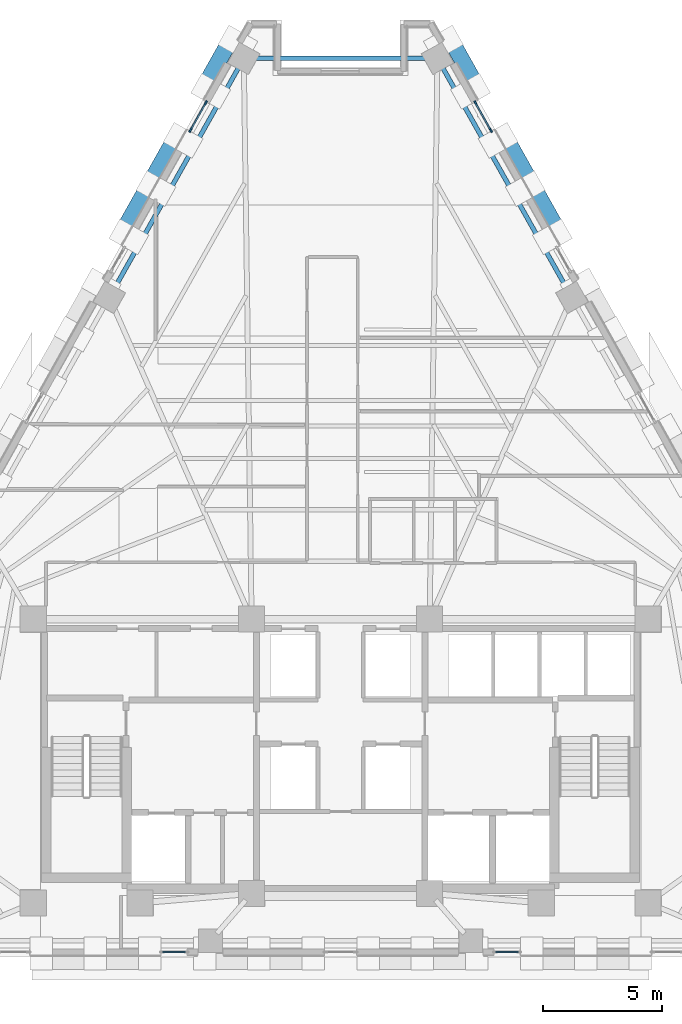
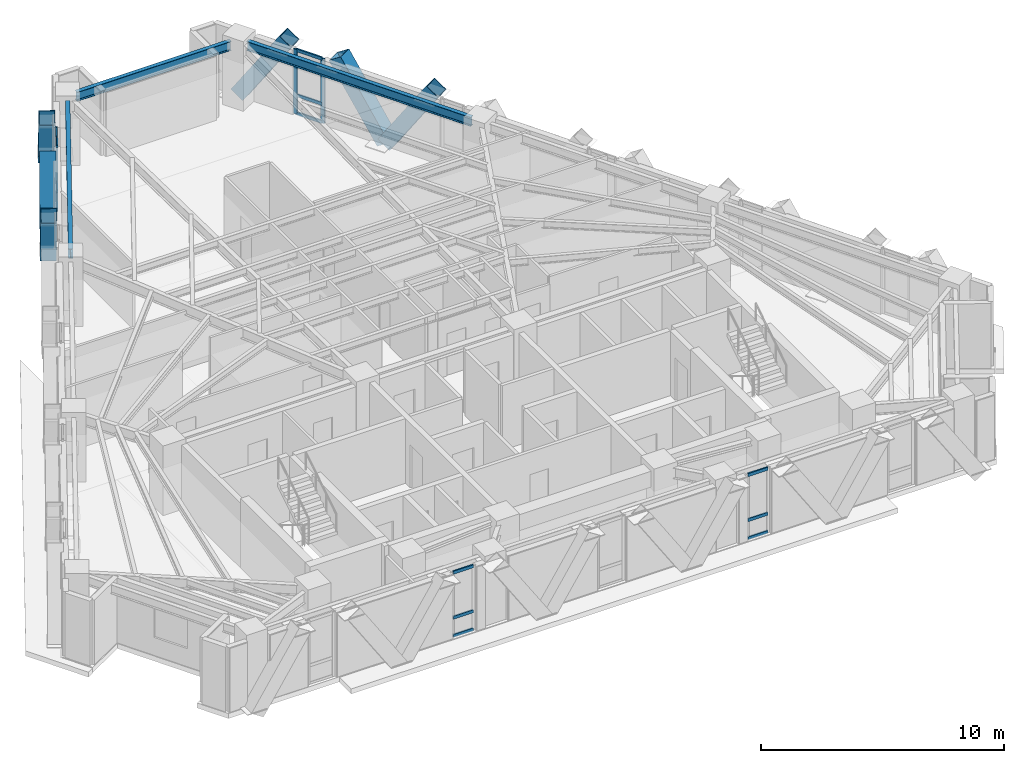
# One storey, part 5 of 13: 22 members, 3 beams, 4 elements without a shape of their own.
"""IFC4 building model written with IfcOpenShell, lengths in metres."""

import ifcopenshell
import ifcopenshell.guid

model = None  # the IFC model being written
_history = None  # IfcOwnerHistory: only IFC2X3 demands one
_inside = {}  # id of a spatial element -> (the spatial element, [elements in it])
_under = {}  # id of a project, library or spatial element -> (it, [spatial elements below it])
_declared = {}  # id of a project -> (the project, [libraries it declares])
_typed = {}  # id of a type object -> (the type object, [elements of that type])
_made_of = {}  # id of a material, layer set ... -> (it, [elements and type objects made of it])


def new_model(schema):
    """Start an empty IFC model of exactly this schema.

    Asked for "IFC4X3", IfcOpenShell would pick the latest addendum, in which some entities
    have other attributes; the version numbers below select the first issue.
    IFC2X3 requires an IfcOwnerHistory on every rooted entity: one is made here for all.
    """
    global model, _history
    if schema == "IFC4X3":
        model = ifcopenshell.file(schema_version=(4, 3, 0, 0))
    else:
        model = ifcopenshell.file(schema=schema)
    _inside.clear()
    _under.clear()
    _declared.clear()
    _typed.clear()
    _made_of.clear()
    _history = None
    if model.schema == "IFC2X3":
        org = make("IfcOrganization", Name="unknown")
        user = make(
            "IfcPersonAndOrganization",
            ThePerson=make("IfcPerson", FamilyName="unknown"),
            TheOrganization=org,
        )
        app = make(
            "IfcApplication",
            ApplicationDeveloper=org,
            Version="unknown",
            ApplicationFullName="unknown",
            ApplicationIdentifier="unknown",
        )
        _history = make(
            "IfcOwnerHistory",
            OwningUser=user,
            OwningApplication=app,
            ChangeAction="ADDED",
            CreationDate=0,
        )
    return model


def make(cls, **values):
    """One entity of the class cls with the attributes given. An attribute that is None is left unset."""
    return model.create_entity(
        cls, **{name: value for name, value in values.items() if value is not None}
    )


def rooted(cls, **values):
    """An entity with a GlobalId (a new one), such as an element, a storey or a relation."""
    return make(cls, GlobalId=ifcopenshell.guid.new(), OwnerHistory=_history, **values)


def si_unit(unit_type, name, prefix=None):
    """IfcSIUnit, for example si_unit("LENGTHUNIT", "METRE", prefix="MILLI")."""
    return make("IfcSIUnit", UnitType=unit_type, Prefix=prefix, Name=name)


def assignment(units):
    """IfcUnitAssignment: the units of a project."""
    return None if units is None else make("IfcUnitAssignment", Units=units)


def point(xyz):
    """IfcCartesianPoint."""
    return None if xyz is None else make("IfcCartesianPoint", Coordinates=xyz)


def direction(xyz):
    """IfcDirection."""
    return None if xyz is None else make("IfcDirection", DirectionRatios=xyz)


def frame(location, z_axis=None, x_axis=None):
    """IfcAxis2Placement3D, a coordinate frame: its origin and axes. An axis left out is left unset."""
    return make(
        "IfcAxis2Placement3D",
        Location=point(location),
        Axis=direction(z_axis),
        RefDirection=direction(x_axis),
    )


def frame_2d(location, x_axis=None):
    """IfcAxis2Placement2D, a coordinate frame in the plane: its origin and x axis."""
    return make(
        "IfcAxis2Placement2D", Location=point(location), RefDirection=direction(x_axis)
    )


def origin():
    """The frame at (0, 0, 0) with its axes left unset."""
    return frame((0.0, 0.0, 0.0))


def origin_2d():
    """The frame at (0, 0) in the plane with its x axis left unset."""
    return frame_2d((0.0, 0.0))


def place(relative_to, where):
    """IfcLocalPlacement: puts the frame where relative to a parent placement (None: the world)."""
    return make(
        "IfcLocalPlacement", PlacementRelTo=relative_to, RelativePlacement=where
    )


def context(
    kind, dimensions, precision=None, world=None, true_north=None, identifier=None
):
    """IfcGeometricRepresentationContext, for example the 3D "Model" context."""
    return make(
        "IfcGeometricRepresentationContext",
        ContextIdentifier=identifier,
        ContextType=kind,
        CoordinateSpaceDimension=dimensions,
        Precision=precision,
        WorldCoordinateSystem=world,
        TrueNorth=true_north,
    )


def subcontext(parent, identifier, kind, view, scale=None):
    """IfcGeometricRepresentationSubContext, for example "Body" below "Model"."""
    return make(
        "IfcGeometricRepresentationSubContext",
        ContextIdentifier=identifier,
        ContextType=kind,
        ParentContext=parent,
        TargetScale=scale,
        TargetView=view,
    )


def project(units=None, contexts=None):
    """IfcProject with its units and contexts."""
    return rooted(
        "IfcProject",
        Name="project",
        RepresentationContexts=contexts,
        UnitsInContext=assignment(units),
    )


def spatial(cls, under=None, at=None, **own):
    """A site, building, storey or space (cls), placed at a placement, below another one or the project."""
    s = rooted(cls, ObjectPlacement=at, **own)
    if under is not None:
        _under.setdefault(under.id(), (under, []))[1].append(s)
    return s


def profile(cls, at=None, kind="AREA", **sizes):
    """A parametric profile (cls). Its sizes go by their IFC names, for example OverallWidth=200.0."""
    return make(cls, ProfileType=kind, Position=at, **sizes)


def rectangle(**sizes):
    """IfcRectangleProfileDef."""
    return profile("IfcRectangleProfileDef", **sizes)


def hollow_rectangle(**sizes):
    """IfcRectangleHollowProfileDef."""
    return profile("IfcRectangleHollowProfileDef", **sizes)


def i_section(**sizes):
    """IfcIShapeProfileDef."""
    return profile("IfcIShapeProfileDef", **sizes)


def extrude(swept, where, along, depth):
    """IfcExtrudedAreaSolid: the profile swept, set in the frame where, extruded along a direction by depth."""
    return make(
        "IfcExtrudedAreaSolid",
        SweptArea=swept,
        Position=where,
        ExtrudedDirection=direction(along),
        Depth=depth,
    )


def shape(context_of_items, identifier, shape_type, items):
    """IfcShapeRepresentation: the items that make up one representation, for example the "Body"."""
    return make(
        "IfcShapeRepresentation",
        ContextOfItems=context_of_items,
        RepresentationIdentifier=identifier,
        RepresentationType=shape_type,
        Items=items,
    )


def material(Name=None, Category=None):
    """IfcMaterial."""
    return make("IfcMaterial", Name=Name, Category=Category)


def material_profile(
    of_material, cross_section, Name=None, Category=None, Priority=None
):
    """IfcMaterialProfile: a cross section and its material."""
    return make(
        "IfcMaterialProfile",
        Name=Name,
        Material=of_material,
        Profile=cross_section,
        Priority=Priority,
        Category=Category,
    )


def profile_set(profiles, Name=None, composite=None):
    """IfcMaterialProfileSet."""
    return make(
        "IfcMaterialProfileSet",
        Name=Name,
        MaterialProfiles=profiles,
        CompositeProfile=composite,
    )


def made_of(thing, what):
    """Note that an element or type object is made of a material, layer set ...; save() writes the relation."""
    if what is not None:
        _made_of.setdefault(what.id(), (what, []))[1].append(thing)
    return thing


def type_object(cls, material=None, **own):
    """A type object (cls), such as IfcWallType, which elements share."""
    return made_of(rooted(cls, **own), material)


def element(
    cls,
    number,
    at=None,
    inside=None,
    cuts=None,
    type_object=None,
    material=None,
    context=None,
    identifier="Body",
    shape_type=None,
    held_by="IfcProductDefinitionShape",
    body=None,
    shapes=None,
    **own,
):
    """One element of the class cls, such as IfcWall. Its Tag is "e" and its number.

    at: its placement. inside: the storey or other place that contains it. cuts: it is an
    opening in that element (IfcRelVoidsElement). A single representation is given by context,
    identifier, shape_type and body (its items); several are given by shapes. held_by: the class
    of the entity that holds the representations. save() writes the other relations.
    """
    e = rooted(cls, Tag="e%d" % number, ObjectPlacement=at, **own)
    if body is not None:
        shapes = [shape(context, identifier, shape_type, body)]
    if shapes is not None:
        e.Representation = make(held_by, Representations=shapes)
    if inside is not None:
        _inside.setdefault(inside.id(), (inside, []))[1].append(e)
    if cuts is not None:
        rooted(
            "IfcRelVoidsElement", RelatingBuildingElement=cuts, RelatedOpeningElement=e
        )
    if type_object is not None:
        _typed.setdefault(type_object.id(), (type_object, []))[1].append(e)
    return made_of(e, material)


def aggregate(whole, parts):
    """IfcRelAggregates: a whole, such as a stair, and the parts it consists of."""
    return rooted("IfcRelAggregates", RelatingObject=whole, RelatedObjects=parts)


def save(model, path):
    """Write the relations noted so far, then the file.

    IfcRelAggregates (storeys below a building ...), IfcRelContainedInSpatialStructure (elements
    in a storey), IfcRelDefinesByType, IfcRelAssociatesMaterial and IfcRelDeclares: one each for
    every whole, place, type object, material and project.
    """
    for whole, parts in _under.values():
        aggregate(whole, parts)
    for where, things in _inside.values():
        rooted(
            "IfcRelContainedInSpatialStructure",
            RelatedElements=things,
            RelatingStructure=where,
        )
    for kind, things in _typed.values():
        rooted("IfcRelDefinesByType", RelatedObjects=things, RelatingType=kind)
    for what, things in _made_of.values():
        rooted("IfcRelAssociatesMaterial", RelatedObjects=things, RelatingMaterial=what)
    for by, libraries in _declared.values():
        rooted("IfcRelDeclares", RelatingContext=by, RelatedDefinitions=libraries)
    model.write(path)


model = new_model("IFC4")

# Units and contexts
model_context = context("Model", 3, precision=1e-05, world=origin(), true_north=direction((0.0, 1.0)))
body_context = subcontext(model_context, "Body", "Model", "MODEL_VIEW")
ifc_project = project(units=[si_unit("LENGTHUNIT", "METRE"), si_unit("AREAUNIT", "SQUARE_METRE"), si_unit("VOLUMEUNIT", "CUBIC_METRE"), si_unit("PLANEANGLEUNIT", "RADIAN"), si_unit("MASSUNIT", "GRAM", prefix="KILO")], contexts=[model_context])

# Site, building, storey
site_placement = place(None, origin())
site = spatial("IfcSite", under=ifc_project, at=site_placement, CompositionType="ELEMENT")
building_placement = place(site_placement, origin())
building = spatial("IfcBuilding", under=site, at=building_placement, Name="Quenlor Broadcast Tower", CompositionType="ELEMENT")
storey_placement = place(building_placement, frame((0.0, 0.0, 130.0)))
storey = spatial("IfcBuildingStorey", under=building, at=storey_placement, Name="L35", CompositionType="ELEMENT", Elevation=130.0)

# Curtain wall, members
ifc_material_1 = material(Name="Architectural Terracotta and Low-E Glazing", Category="masonry")
curtain_wall_type = type_object("IfcCurtainWallType", Name="Unitised Terracotta Curtain Wall System Z3", PredefinedType="NOTDEFINED", material=ifc_material_1)
curtain_wall_1_placement = place(storey_placement, origin())
curtain_wall_1 = element("IfcCurtainWall", 1, at=curtain_wall_1_placement, inside=storey, type_object=curtain_wall_type, Name="L35 Curtain Wall CW3 (L35-NEA-G1)", PredefinedType="NOTDEFINED")
ifc_material_2 = material(Name="Aluminium 6063-T6", Category="aluminium")
ifc_material_profile_1 = material_profile(ifc_material_2, rectangle(XDim=0.070068359375, YDim=0.18994140625, at=origin_2d()))
ifc_profile_set_1 = profile_set([ifc_material_profile_1], Name="Aluminium 6063-T6 MULL70x190")
member_type_1 = type_object("IfcMemberType", Name="CW3 Aluminium Mullion MULL_CW3", PredefinedType="MULLION", material=ifc_profile_set_1)
member_1_placement = place(storey_placement, frame((5.677978515625, 16.94921875, 0.0), z_axis=(0.0, 0.0, 1.0), x_axis=(0.871592831439, 0.490230492916, 0.0)))
member_1 = element("IfcMember", 2, at=member_1_placement, type_object=member_type_1, Name="CW3 mullion 1", PredefinedType="MULLION", context=body_context, shape_type="SweptSolid", body=[
    extrude(rectangle(XDim=0.070068359375, YDim=0.18994140625, at=origin_2d()), origin(), (0.0, 0.0, 1.0), 3.25),
])
member_2_placement = place(storey_placement, frame((6.324951171875, 15.798828125, 0.0), z_axis=(0.0, 0.0, 1.0), x_axis=(0.871592831439, 0.490230492916, 0.0)))
member_2 = element("IfcMember", 3, at=member_2_placement, type_object=member_type_1, Name="CW3 mullion 2", PredefinedType="MULLION", context=body_context, shape_type="SweptSolid", body=[
    extrude(rectangle(XDim=0.070068359375, YDim=0.18994140625, at=origin_2d()), origin(), (0.0, 0.0, 1.0), 3.25),
])

curtain_wall_2_placement = place(storey_placement, origin())
curtain_wall_2 = element("IfcCurtainWall", 4, at=curtain_wall_2_placement, inside=storey, type_object=curtain_wall_type, Name="L35 Curtain Wall CW3 (L35-NWC-G2)", PredefinedType="NOTDEFINED")
member_3_placement = place(storey_placement, frame((-6.324951171875, 15.798828125, 0.0), z_axis=(0.0, 0.0, 1.0), x_axis=(-0.871592831439, 0.490230492916, 0.0)))
member_3 = element("IfcMember", 5, at=member_3_placement, type_object=member_type_1, Name="CW3 mullion 1", PredefinedType="MULLION", context=body_context, shape_type="SweptSolid", body=[
    extrude(rectangle(XDim=0.070068359375, YDim=0.18994140625, at=origin_2d()), origin(), (0.0, 0.0, 1.0), 3.25),
])
member_4_placement = place(storey_placement, frame((-5.677978515625, 16.94921875, 0.0), z_axis=(0.0, 0.0, 1.0), x_axis=(-0.871592831439, 0.490230492916, 0.0)))
member_4 = element("IfcMember", 6, at=member_4_placement, type_object=member_type_1, Name="CW3 mullion 2", PredefinedType="MULLION", context=body_context, shape_type="SweptSolid", body=[
    extrude(rectangle(XDim=0.070068359375, YDim=0.18994140625, at=origin_2d()), origin(), (0.0, 0.0, 1.0), 3.25),
])

curtain_wall_3_placement = place(storey_placement, origin())
curtain_wall_3 = element("IfcCurtainWall", 7, at=curtain_wall_3_placement, inside=storey, type_object=curtain_wall_type, Name="L35 Curtain Wall CW3 (L35-SA-G2)", PredefinedType="NOTDEFINED")
ifc_material_3 = material(Name="Aluminium 6063-T6", Category="aluminium")
ifc_material_profile_2 = material_profile(ifc_material_3, rectangle(XDim=0.070068359375, YDim=0.155029296875, at=origin_2d()))
ifc_profile_set_2 = profile_set([ifc_material_profile_2], Name="Aluminium 6063-T6 TRAN70x155")
member_type_2 = type_object("IfcMemberType", Name="CW3 Aluminium Transom TRAN_CW3", PredefinedType="USERDEFINED", material=ifc_profile_set_2)
member_5_placement = place(storey_placement, frame((7.487060546875, -18.824951171875, 0.034912109375), z_axis=(-1.0, 0.0, 0.0), x_axis=(0.0, -1.0, 0.0)))
member_5 = element("IfcMember", 8, at=member_5_placement, type_object=member_type_2, Name="CW3 transom 1.1", ObjectType="TRANSOM", PredefinedType="USERDEFINED", context=body_context, shape_type="SweptSolid", body=[
    extrude(rectangle(XDim=0.070068359375, YDim=0.155029296875, at=origin_2d()), origin(), (0.0, 0.0, 1.0), 0.951171875),
])
member_6_placement = place(storey_placement, frame((7.487060546875, -18.824951171875, 0.949951171875), z_axis=(-1.0, 0.0, 0.0), x_axis=(0.0, -1.0, 0.0)))
member_6 = element("IfcMember", 9, at=member_6_placement, type_object=member_type_2, Name="CW3 transom 1.2", ObjectType="TRANSOM", PredefinedType="USERDEFINED", context=body_context, shape_type="SweptSolid", body=[
    extrude(rectangle(XDim=0.070068359375, YDim=0.155029296875, at=origin_2d()), origin(), (0.0, 0.0, 1.0), 0.951171875),
])
member_7_placement = place(storey_placement, frame((7.487060546875, -18.824951171875, 3.215087890625), z_axis=(-1.0, 0.0, 0.0), x_axis=(0.0, -1.0, 0.0)))
member_7 = element("IfcMember", 10, at=member_7_placement, type_object=member_type_2, Name="CW3 transom 1.3", ObjectType="TRANSOM", PredefinedType="USERDEFINED", context=body_context, shape_type="SweptSolid", body=[
    extrude(rectangle(XDim=0.070068359375, YDim=0.155029296875, at=origin_2d()), origin(), (0.0, 0.0, 1.0), 0.951171875),
])
aggregate(curtain_wall_3, [member_5, member_6, member_7])

curtain_wall_4_placement = place(storey_placement, origin())
curtain_wall_4 = element("IfcCurtainWall", 11, at=curtain_wall_4_placement, inside=storey, type_object=curtain_wall_type, Name="L35 Curtain Wall CW3 (L35-SC-G1)", PredefinedType="NOTDEFINED")
member_8_placement = place(storey_placement, frame((-6.535888671875, -18.824951171875, 0.034912109375), z_axis=(-1.0, 0.0, 0.0), x_axis=(0.0, -1.0, 0.0)))
member_8 = element("IfcMember", 12, at=member_8_placement, type_object=member_type_2, Name="CW3 transom 1.1", ObjectType="TRANSOM", PredefinedType="USERDEFINED", context=body_context, shape_type="SweptSolid", body=[
    extrude(rectangle(XDim=0.070068359375, YDim=0.155029296875, at=origin_2d()), origin(), (0.0, 0.0, 1.0), 0.951171875),
])
member_9_placement = place(storey_placement, frame((-6.535888671875, -18.824951171875, 0.949951171875), z_axis=(-1.0, 0.0, 0.0), x_axis=(0.0, -1.0, 0.0)))
member_9 = element("IfcMember", 13, at=member_9_placement, type_object=member_type_2, Name="CW3 transom 1.2", ObjectType="TRANSOM", PredefinedType="USERDEFINED", context=body_context, shape_type="SweptSolid", body=[
    extrude(rectangle(XDim=0.070068359375, YDim=0.155029296875, at=origin_2d()), origin(), (0.0, 0.0, 1.0), 0.951171875),
])
member_10_placement = place(storey_placement, frame((-6.535888671875, -18.824951171875, 3.215087890625), z_axis=(-1.0, 0.0, 0.0), x_axis=(0.0, -1.0, 0.0)))
member_10 = element("IfcMember", 14, at=member_10_placement, type_object=member_type_2, Name="CW3 transom 1.3", ObjectType="TRANSOM", PredefinedType="USERDEFINED", context=body_context, shape_type="SweptSolid", body=[
    extrude(rectangle(XDim=0.070068359375, YDim=0.155029296875, at=origin_2d()), origin(), (0.0, 0.0, 1.0), 0.951171875),
])
aggregate(curtain_wall_4, [member_8, member_9, member_10])

# Member
member_11_placement = place(storey_placement, frame((5.695068359375, 16.918701171875, 0.034912109375), z_axis=(0.490131387775, -0.871648566062, 0.0), x_axis=(0.871648566062, 0.490131387775, 0.0)))
member_11 = element("IfcMember", 15, at=member_11_placement, type_object=member_type_2, Name="CW3 transom 1.1", ObjectType="TRANSOM", PredefinedType="USERDEFINED", context=body_context, shape_type="SweptSolid", body=[
    extrude(rectangle(XDim=0.070068359375, YDim=0.155029296875, at=origin_2d()), origin(), (0.0, 0.0, 1.0), 1.249755859375),
])

member_12_placement = place(storey_placement, frame((5.695068359375, 16.918701171875, 0.949951171875), z_axis=(0.490131387775, -0.871648566062, 0.0), x_axis=(0.871648566062, 0.490131387775, 0.0)))
member_12 = element("IfcMember", 16, at=member_12_placement, type_object=member_type_2, Name="CW3 transom 1.2", ObjectType="TRANSOM", PredefinedType="USERDEFINED", context=body_context, shape_type="SweptSolid", body=[
    extrude(rectangle(XDim=0.070068359375, YDim=0.155029296875, at=origin_2d()), origin(), (0.0, 0.0, 1.0), 1.249755859375),
])

member_13_placement = place(storey_placement, frame((5.695068359375, 16.918701171875, 3.215087890625), z_axis=(0.490131387775, -0.871648566062, 0.0), x_axis=(0.871648566062, 0.490131387775, 0.0)))
member_13 = element("IfcMember", 17, at=member_13_placement, type_object=member_type_2, Name="CW3 transom 1.3", ObjectType="TRANSOM", PredefinedType="USERDEFINED", context=body_context, shape_type="SweptSolid", body=[
    extrude(rectangle(XDim=0.070068359375, YDim=0.155029296875, at=origin_2d()), origin(), (0.0, 0.0, 1.0), 1.249755859375),
])

aggregate(curtain_wall_1, [member_1, member_2, member_11, member_12, member_13])

member_14_placement = place(storey_placement, frame((-6.3076171875, 15.829345703125, 0.034912109375), z_axis=(0.490131387775, 0.871648566062, 0.0), x_axis=(-0.871648566062, 0.490131387775, 0.0)))
member_14 = element("IfcMember", 18, at=member_14_placement, type_object=member_type_2, Name="CW3 transom 1.1", ObjectType="TRANSOM", PredefinedType="USERDEFINED", context=body_context, shape_type="SweptSolid", body=[
    extrude(rectangle(XDim=0.070068359375, YDim=0.155029296875, at=origin_2d()), origin(), (0.0, 0.0, 1.0), 1.249755859375),
])

member_15_placement = place(storey_placement, frame((-6.3076171875, 15.829345703125, 0.949951171875), z_axis=(0.490131387775, 0.871648566062, 0.0), x_axis=(-0.871648566062, 0.490131387775, 0.0)))
member_15 = element("IfcMember", 19, at=member_15_placement, type_object=member_type_2, Name="CW3 transom 1.2", ObjectType="TRANSOM", PredefinedType="USERDEFINED", context=body_context, shape_type="SweptSolid", body=[
    extrude(rectangle(XDim=0.070068359375, YDim=0.155029296875, at=origin_2d()), origin(), (0.0, 0.0, 1.0), 1.249755859375),
])

member_16_placement = place(storey_placement, frame((-6.3076171875, 15.829345703125, 3.215087890625), z_axis=(0.490131387775, 0.871648566062, 0.0), x_axis=(-0.871648566062, 0.490131387775, 0.0)))
member_16 = element("IfcMember", 20, at=member_16_placement, type_object=member_type_2, Name="CW3 transom 1.3", ObjectType="TRANSOM", PredefinedType="USERDEFINED", context=body_context, shape_type="SweptSolid", body=[
    extrude(rectangle(XDim=0.070068359375, YDim=0.155029296875, at=origin_2d()), origin(), (0.0, 0.0, 1.0), 1.249755859375),
])

aggregate(curtain_wall_2, [member_3, member_4, member_14, member_15, member_16])

# Members
ifc_material_4 = material(Name="Steel S355", Category="steel")
ifc_material_profile_3 = material_profile(ifc_material_4, hollow_rectangle(XDim=0.679931640625, YDim=0.679931640625, WallThickness=0.02490234375, at=origin_2d()))
ifc_profile_set_3 = profile_set([ifc_material_profile_3], Name="Steel S355 RHS680x680x25")
member_type_3 = type_object("IfcMemberType", Name="Perimeter Diagonal Lattice Brace Z3-Z4 Steel S355 RHS680x25", PredefinedType="BRACE", material=ifc_profile_set_3)
for number, where, z_axis, x_axis, name in (
    (21, (4.62841796875, 19.620361328125, -0.1201171875), (0.2705491942, -0.481008661973, 0.833926735766), (0.871589611547, 0.490236217596, 0.0), "L35 Perimeter Diamond Lattice NE-C1S"),
    (22, (8.062744140625, 13.514892578125, -0.1201171875), (-0.2705491942, 0.481008661973, 0.833926735766), (-0.871589611547, -0.490236217596, 0.0), "L35 Perimeter Diamond Lattice NE-C1B"),
    (23, (8.076416015625, 13.490478515625, -0.1201171875), (0.27060310517, -0.481001091283, 0.833913610428), (0.871544572467, 0.490316283845, 0.0), "L35 Perimeter Diamond Lattice NE-C2S"),
    (24, (-8.076416015625, 13.490478515625, -0.1201171875), (-0.27060310517, -0.481001091283, 0.833913610428), (0.871544572467, -0.490316283845, 0.0), "L35 Perimeter Diamond Lattice NW-C4B"),
    (25, (-8.062744140625, 13.514892578125, -0.1201171875), (0.2705491942, 0.481008661973, 0.833926735766), (-0.871589611547, 0.490236217596, 0.0), "L35 Perimeter Diamond Lattice NW-C5S"),
    (26, (-4.62841796875, 19.620361328125, -0.1201171875), (-0.2705491942, -0.481008661973, 0.833926735766), (0.871589611547, -0.490236217596, 0.0), "L35 Perimeter Diamond Lattice NW-C5B"),
):
    element("IfcMember", number, at=place(storey_placement, frame(where, z_axis=z_axis, x_axis=x_axis)), inside=storey, type_object=member_type_3, Name=name, PredefinedType="BRACE", context=body_context, shape_type="SweptSolid", body=[
        extrude(hollow_rectangle(XDim=0.679931640625, YDim=0.679931640625, WallThickness=0.02490234375, at=origin_2d()), origin(), (0.0, 0.0, 1.0), 4.197021484375),
    ])

# Beams
ifc_material_5 = material(Name="Steel S355", Category="steel")
ifc_material_profile_4 = material_profile(ifc_material_5, i_section(OverallWidth=0.19091796875, OverallDepth=0.46044921875, WebThickness=0.010009765625, FlangeThickness=0.01611328125, FilletRadius=0.011474609375, at=origin_2d()))
ifc_profile_set_4 = profile_set([ifc_material_profile_4], Name="Steel S355 460UB82.1")
beam_type = type_object("IfcBeamType", Name="Perimeter Spandrel Beam Z3 Steel S355 460UB82.1", PredefinedType="SPANDREL", material=ifc_profile_set_4)
beam_1_placement = place(storey_placement, frame((9.5419921875, 9.110595703125, 3.019775390625), z_axis=(-0.490257999604, 0.871577359633, 0.0), x_axis=(-0.871577359633, -0.490257999604, 0.0)))
element("IfcBeam", 27, at=beam_1_placement, inside=storey, type_object=beam_type, Name="L35 Spandrel Beam NE3-NE4", PredefinedType="SPANDREL", context=body_context, shape_type="SweptSolid", body=[
    extrude(i_section(OverallWidth=0.19091796875, OverallDepth=0.46044921875, WebThickness=0.010009765625, FlangeThickness=0.01611328125, FilletRadius=0.011474609375, at=origin_2d()), origin(), (0.0, 0.0, 1.0), 10.732666015625),
])
beam_2_placement = place(storey_placement, frame((3.669189453125, 18.822021484375, 3.019775390625), z_axis=(-1.0, 0.0, 0.0), x_axis=(0.0, -1.0, 0.0)))
element("IfcBeam", 28, at=beam_2_placement, inside=storey, type_object=beam_type, Name="L35 Spandrel Beam NE4-NW1", PredefinedType="SPANDREL", context=body_context, shape_type="SweptSolid", body=[
    extrude(i_section(OverallWidth=0.19091796875, OverallDepth=0.46044921875, WebThickness=0.010009765625, FlangeThickness=0.01611328125, FilletRadius=0.011474609375, at=origin_2d()), origin(), (0.0, 0.0, 1.0), 7.33837890625),
])
beam_3_placement = place(storey_placement, frame((-4.2802734375, 18.46484375, 3.019775390625), z_axis=(-0.490257999604, -0.871577359633, 0.0), x_axis=(0.871577359633, -0.490257999604, 0.0)))
element("IfcBeam", 29, at=beam_3_placement, inside=storey, type_object=beam_type, Name="L35 Spandrel Beam NW1-NW2", PredefinedType="SPANDREL", context=body_context, shape_type="SweptSolid", body=[
    extrude(i_section(OverallWidth=0.19091796875, OverallDepth=0.46044921875, WebThickness=0.010009765625, FlangeThickness=0.01611328125, FilletRadius=0.011474609375, at=origin_2d()), origin(), (0.0, 0.0, 1.0), 10.732666015625),
])

save(model, "model.ifc")
